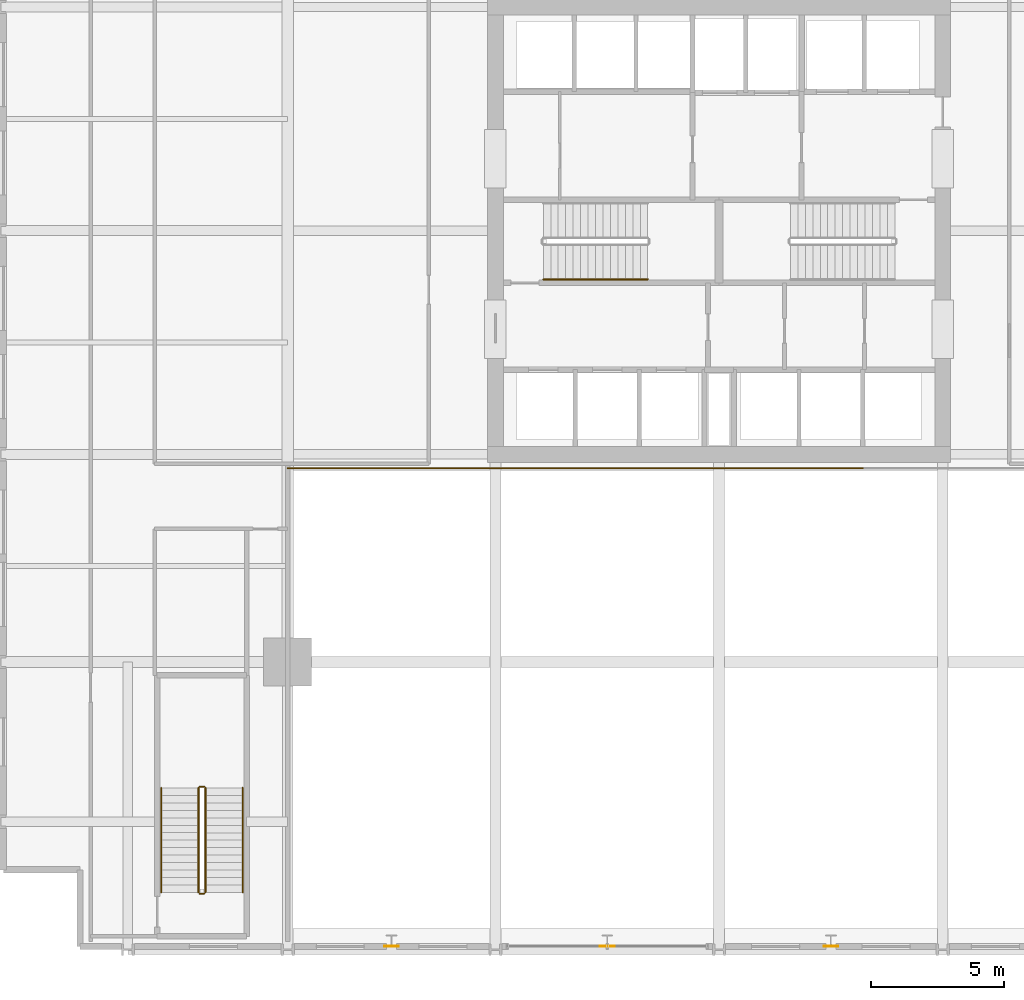
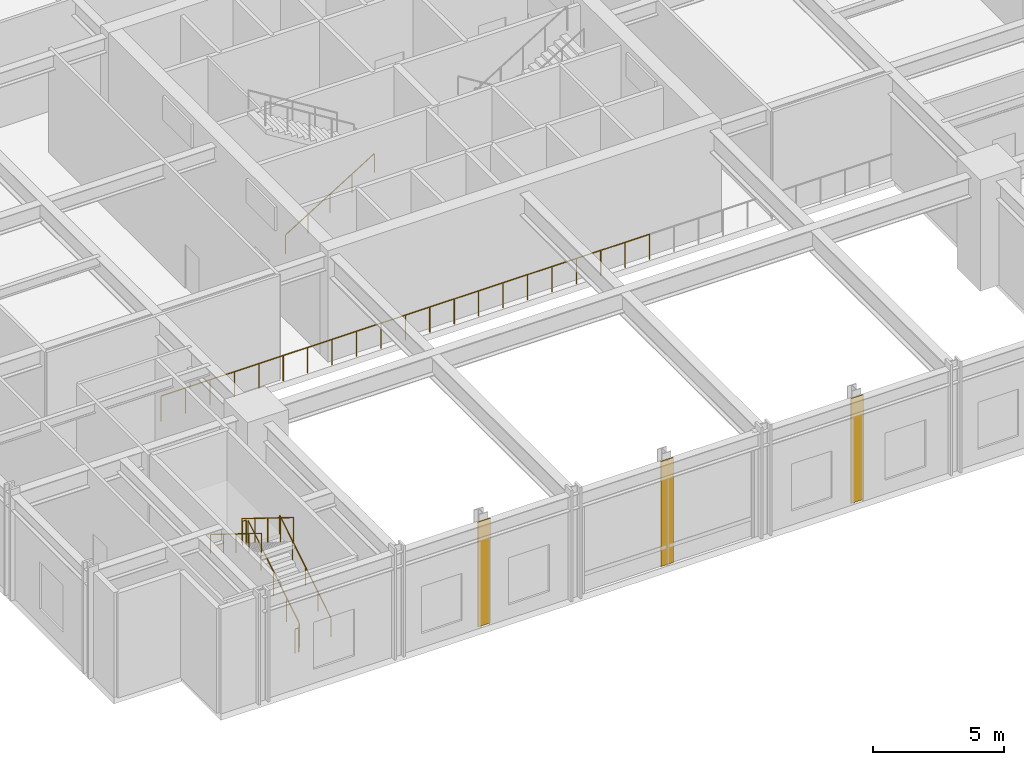
# One storey, part 15 of 19: 11 railings, 3 coverings.
"""IFC4 building model written with IfcOpenShell, lengths in metres."""

from ifc_helpers import new_model, si_unit, direction, frame, origin, origin_2d, place, context, subcontext, project, spatial, rectangle, circle, extrude, material, layer, layer_set, type_object, element, save


model = new_model("IFC4")

# Units and contexts
model_context = context("Model", 3, precision=1e-05, world=origin(), true_north=direction((0.0, 1.0)))
body_context = subcontext(model_context, "Body", "Model", "MODEL_VIEW")
ifc_project = project(units=[si_unit("LENGTHUNIT", "METRE"), si_unit("AREAUNIT", "SQUARE_METRE"), si_unit("VOLUMEUNIT", "CUBIC_METRE"), si_unit("PLANEANGLEUNIT", "RADIAN"), si_unit("MASSUNIT", "GRAM", prefix="KILO")], contexts=[model_context])

# Site, building, storey
site_placement = place(None, origin())
site = spatial("IfcSite", under=ifc_project, at=site_placement, CompositionType="ELEMENT")
building_placement = place(site_placement, origin())
building = spatial("IfcBuilding", under=site, at=building_placement, Name="Drelvath Grand Hotel", CompositionType="ELEMENT")
storey_placement = place(building_placement, frame((0.0, 0.0, 17.199951171875)))
storey = spatial("IfcBuildingStorey", under=building, at=storey_placement, Name="L03", CompositionType="ELEMENT", Elevation=17.199951171875)

# Railings
ifc_material_1 = material(Name="Architectural Bronze and Laminated Glass", Category="glass")
railing_type_1 = type_object("IfcRailingType", Name="Ballroom Overlook Balustrade 1200", PredefinedType="BALUSTRADE", material=ifc_material_1)
railing_1_placement = place(storey_placement, frame((-16.199951171875, 18.080078125, 0.0)))
element("IfcRailing", 1, at=railing_1_placement, inside=storey, type_object=railing_type_1, Name="Grand Ballroom Mezzanine Balustrade 1", PredefinedType="BALUSTRADE", context=body_context, shape_type="SweptSolid", body=[
    extrude(circle(Radius=0.02392578125, at=origin_2d()), frame((0.0, 0.0, 1.17578125), z_axis=(1.0, 0.0, 0.0), x_axis=(0.0, 1.0, 0.0)), (0.0, 0.0, 1.0), 5.39990234375),
    extrude(circle(Radius=0.02099609375, at=origin_2d()), origin(), (0.0, 0.0, 1.0), 1.15185546875),
    extrude(circle(Radius=0.02099609375, at=origin_2d()), frame((1.080078125, 0.0, 0.0)), (0.0, 0.0, 1.0), 1.15185546875),
    extrude(circle(Radius=0.02099609375, at=origin_2d()), frame((2.159912109375, 0.0, 0.0)), (0.0, 0.0, 1.0), 1.15185546875),
    extrude(circle(Radius=0.02099609375, at=origin_2d()), frame((3.239990234375, 0.0, 0.0)), (0.0, 0.0, 1.0), 1.15185546875),
    extrude(circle(Radius=0.02099609375, at=origin_2d()), frame((4.31982421875, 0.0, 0.0)), (0.0, 0.0, 1.0), 1.15185546875),
    extrude(circle(Radius=0.02099609375, at=origin_2d()), frame((5.39990234375, 0.0, 0.0)), (0.0, 0.0, 1.0), 1.15185546875),
])
railing_2_placement = place(storey_placement, frame((-10.800048828125, 18.080078125, 0.0)))
element("IfcRailing", 2, at=railing_2_placement, inside=storey, type_object=railing_type_1, Name="Grand Ballroom Mezzanine Balustrade 2", PredefinedType="BALUSTRADE", context=body_context, shape_type="SweptSolid", body=[
    extrude(circle(Radius=0.02392578125, at=origin_2d()), frame((0.0, 0.0, 1.17578125), z_axis=(1.0, 0.0, 0.0), x_axis=(0.0, 1.0, 0.0)), (0.0, 0.0, 1.0), 5.400146484375),
    extrude(circle(Radius=0.02099609375, at=origin_2d()), origin(), (0.0, 0.0, 1.0), 1.15185546875),
    extrude(circle(Radius=0.02099609375, at=origin_2d()), frame((1.080078125, 0.0, 0.0)), (0.0, 0.0, 1.0), 1.15185546875),
    extrude(circle(Radius=0.02099609375, at=origin_2d()), frame((2.16015625, 0.0, 0.0)), (0.0, 0.0, 1.0), 1.15185546875),
    extrude(circle(Radius=0.02099609375, at=origin_2d()), frame((3.239990234375, 0.0, 0.0)), (0.0, 0.0, 1.0), 1.15185546875),
    extrude(circle(Radius=0.02099609375, at=origin_2d()), frame((4.320068359375, 0.0, 0.0)), (0.0, 0.0, 1.0), 1.15185546875),
    extrude(circle(Radius=0.02099609375, at=origin_2d()), frame((5.400146484375, 0.0, 0.0)), (0.0, 0.0, 1.0), 1.15185546875),
])
for number, where, name in (
    (3, (-5.39990234375, 18.080078125, 0.0), "Grand Ballroom Mezzanine Balustrade 3"),
    (4, (0.0, 18.080078125, 0.0), "Grand Ballroom Mezzanine Balustrade 4"),
):
    element("IfcRailing", number, at=place(storey_placement, frame(where)), inside=storey, type_object=railing_type_1, Name=name, PredefinedType="BALUSTRADE", context=body_context, shape_type="SweptSolid", body=[
        extrude(circle(Radius=0.02392578125, at=origin_2d()), frame((0.0, 0.0, 1.17578125), z_axis=(1.0, 0.0, 0.0), x_axis=(0.0, 1.0, 0.0)), (0.0, 0.0, 1.0), 5.39990234375),
        extrude(circle(Radius=0.02099609375, at=origin_2d()), origin(), (0.0, 0.0, 1.0), 1.15185546875),
        extrude(circle(Radius=0.02099609375, at=origin_2d()), frame((1.080078125, 0.0, 0.0)), (0.0, 0.0, 1.0), 1.15185546875),
        extrude(circle(Radius=0.02099609375, at=origin_2d()), frame((2.159912109375, 0.0, 0.0)), (0.0, 0.0, 1.0), 1.15185546875),
        extrude(circle(Radius=0.02099609375, at=origin_2d()), frame((3.239990234375, 0.0, 0.0)), (0.0, 0.0, 1.0), 1.15185546875),
        extrude(circle(Radius=0.02099609375, at=origin_2d()), frame((4.31982421875, 0.0, 0.0)), (0.0, 0.0, 1.0), 1.15185546875),
        extrude(circle(Radius=0.02099609375, at=origin_2d()), frame((5.39990234375, 0.0, 0.0)), (0.0, 0.0, 1.0), 1.15185546875),
    ])

# Coverings
ifc_material_2 = material(Name="Warm Bronze Anodised Aluminium Cladding", Category="aluminium")
ifc_layer = layer(ifc_material_2, 0.034912109375)
ifc_layer_set = layer_set([ifc_layer], Name="Warm Bronze Anodised Aluminium Cladding")
covering_type = type_object("IfcCoveringType", Name="Bronze Anodised Pier Cladding Panel 35", PredefinedType="CLADDING", material=ifc_layer_set)
for number, where, z_axis, x_axis, name in (
    (5, (-12.300048828125, 0.1201171875, 0.0), (0.0, 0.0, 1.0), (1.0, 0.0, 0.0), "L03 Colonnade Bronze Pier Cladding S1"),
    (6, (-4.199951171875, 0.1201171875, 0.0), (0.0, 0.0, 1.0), (1.0, 0.0, 0.0), "L03 Colonnade Bronze Pier Cladding S2"),
    (7, (4.199951171875, 0.1201171875, 0.0), (0.0, 0.0, 1.0), (1.0, 0.0, 0.0), "L03 Colonnade Bronze Pier Cladding S3"),
):
    element("IfcCovering", number, at=place(storey_placement, frame(where, z_axis=z_axis, x_axis=x_axis)), inside=storey, type_object=covering_type, Name=name, PredefinedType="CLADDING", context=body_context, shape_type="SweptSolid", body=[
        extrude(rectangle(XDim=0.550048828125, YDim=0.034912109375, at=origin_2d()), origin(), (0.0, 0.0, 1.0), 4.89990234375),
    ])

# Railings
ifc_material_3 = material(Name="Painted Steel S275", Category="steel")
railing_type_2 = type_object("IfcRailingType", Name="Core Stair Wall Handrail 900", PredefinedType="HANDRAIL", material=ifc_material_3)
railing_3_placement = place(storey_placement, frame((-6.60009765625, 25.169921875, 0.17333984375)))
element("IfcRailing", 8, at=railing_3_placement, inside=storey, type_object=railing_type_2, Name="L03 ST-1 stair handrail 1", PredefinedType="HANDRAIL", context=body_context, shape_type="SweptSolid", body=[
    extrude(circle(Radius=0.02392578125, at=origin_2d()), frame((0.0, 0.0, 0.8759765625), z_axis=(0.850266275192, 0.0, 0.526352791643), x_axis=(0.0, 1.0, 0.0)), (0.0, 0.0, 1.0), 4.610595703125),
    extrude(circle(Radius=0.02099609375, at=origin_2d()), origin(), (0.0, 0.0, 1.0), 0.851806640625),
    extrude(circle(Radius=0.02099609375, at=origin_2d()), frame((0.97998046875, 0.0, 0.606689453125)), (0.0, 0.0, 1.0), 0.851806640625),
    extrude(circle(Radius=0.02099609375, at=origin_2d()), frame((1.9599609375, 0.0, 1.21337890625)), (0.0, 0.0, 1.0), 0.851806640625),
    extrude(circle(Radius=0.02099609375, at=origin_2d()), frame((2.940185546875, 0.0, 1.820068359375)), (0.0, 0.0, 1.0), 0.851806640625),
    extrude(circle(Radius=0.02099609375, at=origin_2d()), frame((3.920166015625, 0.0, 2.4267578125)), (0.0, 0.0, 1.0), 0.851806640625),
])
railing_4_placement = place(storey_placement, frame((-17.889892578125, 2.14990234375, 0.17333984375)))
element("IfcRailing", 9, at=railing_4_placement, inside=storey, type_object=railing_type_2, Name="L03 ST-3 stair handrail 1", PredefinedType="HANDRAIL", context=body_context, shape_type="SweptSolid", body=[
    extrude(circle(Radius=0.02392578125, at=origin_2d()), frame((0.0, 0.0, 0.8759765625), z_axis=(0.0, 0.850266275192, 0.526352791643), x_axis=(-1.0, 0.0, 0.0)), (0.0, 0.0, 1.0), 4.610595703125),
    extrude(circle(Radius=0.02099609375, at=origin_2d()), origin(), (0.0, 0.0, 1.0), 0.851806640625),
    extrude(circle(Radius=0.02099609375, at=origin_2d()), frame((0.0, 0.97998046875, 0.606689453125)), (0.0, 0.0, 1.0), 0.851806640625),
    extrude(circle(Radius=0.02099609375, at=origin_2d()), frame((0.0, 1.9599609375, 1.21337890625)), (0.0, 0.0, 1.0), 0.851806640625),
    extrude(circle(Radius=0.02099609375, at=origin_2d()), frame((0.0, 2.940185546875, 1.820068359375)), (0.0, 0.0, 1.0), 0.851806640625),
    extrude(circle(Radius=0.02099609375, at=origin_2d()), frame((0.0, 3.920166015625, 2.4267578125)), (0.0, 0.0, 1.0), 0.851806640625),
])
railing_5_placement = place(storey_placement, frame((-20.949951171875, 6.070068359375, 2.7734375)))
element("IfcRailing", 10, at=railing_5_placement, inside=storey, type_object=railing_type_2, Name="L03 ST-3 stair handrail 2", PredefinedType="HANDRAIL", context=body_context, shape_type="SweptSolid", body=[
    extrude(circle(Radius=0.02392578125, at=origin_2d()), frame((0.0, 0.0, 0.8759765625), z_axis=(0.0, -0.850289973577, 0.526314507528), x_axis=(1.0, 0.0, 0.0)), (0.0, 0.0, 1.0), 4.6103515625),
    extrude(circle(Radius=0.02099609375, at=origin_2d()), origin(), (0.0, 0.0, 1.0), 0.851806640625),
    extrude(circle(Radius=0.02099609375, at=origin_2d()), frame((0.0, -0.97998046875, 0.606689453125)), (0.0, 0.0, 1.0), 0.851806640625),
    extrude(circle(Radius=0.02099609375, at=origin_2d()), frame((0.0, -1.9599609375, 1.21337890625)), (0.0, 0.0, 1.0), 0.851806640625),
    extrude(circle(Radius=0.02099609375, at=origin_2d()), frame((0.0, -2.940185546875, 1.81982421875)), (0.0, 0.0, 1.0), 0.851806640625),
    extrude(circle(Radius=0.02099609375, at=origin_2d()), frame((0.0, -3.920166015625, 2.426513671875)), (0.0, 0.0, 1.0), 0.851806640625),
])
railing_type_3 = type_object("IfcRailingType", Name="Core Stair Well Guardrail 1100", PredefinedType="GUARDRAIL", material=ifc_material_3)
railing_6_placement = place(storey_placement, frame((-19.2900390625, 2.14990234375, 0.17333984375)))
element("IfcRailing", 11, at=railing_6_placement, inside=storey, type_object=railing_type_3, Name="L03 ST-3 stair guard 1", PredefinedType="GUARDRAIL", context=body_context, shape_type="SweptSolid", body=[
    extrude(circle(Radius=0.02392578125, at=origin_2d()), frame((0.0, 0.0, 1.1259765625), z_axis=(0.0, 0.850266275192, 0.526352791643), x_axis=(-1.0, 0.0, 0.0)), (0.0, 0.0, 1.0), 4.610595703125),
    extrude(circle(Radius=0.02099609375, at=origin_2d()), origin(), (0.0, 0.0, 1.0), 1.101806640625),
    extrude(circle(Radius=0.02099609375, at=origin_2d()), frame((0.0, 0.97998046875, 0.606689453125)), (0.0, 0.0, 1.0), 1.101806640625),
    extrude(circle(Radius=0.02099609375, at=origin_2d()), frame((0.0, 1.9599609375, 1.21337890625)), (0.0, 0.0, 1.0), 1.101806640625),
    extrude(circle(Radius=0.02099609375, at=origin_2d()), frame((0.0, 2.940185546875, 1.820068359375)), (0.0, 0.0, 1.0), 1.101806640625),
    extrude(circle(Radius=0.02099609375, at=origin_2d()), frame((0.0, 3.920166015625, 2.4267578125)), (0.0, 0.0, 1.0), 1.101806640625),
])
railing_7_placement = place(storey_placement, frame((-19.340087890625, 6.1201171875, 2.60009765625)))
element("IfcRailing", 12, at=railing_7_placement, inside=storey, type_object=railing_type_3, Name="L03 ST-3 stair guard 2", PredefinedType="GUARDRAIL", context=body_context, shape_type="SweptSolid", body=[
    extrude(circle(Radius=0.02392578125, at=origin_2d()), frame((0.0, 0.0, 1.1259765625), z_axis=(-1.0, 0.0, 0.0), x_axis=(0.0, -1.0, 0.0)), (0.0, 0.0, 1.0), 0.159912109375),
    extrude(circle(Radius=0.02099609375, at=origin_2d()), origin(), (0.0, 0.0, 1.0), 1.101806640625),
    extrude(circle(Radius=0.02099609375, at=origin_2d()), frame((-0.159912109375, 0.0, 0.0)), (0.0, 0.0, 1.0), 1.101806640625),
])
railing_8_placement = place(storey_placement, frame((-19.550048828125, 6.070068359375, 2.7734375)))
element("IfcRailing", 13, at=railing_8_placement, inside=storey, type_object=railing_type_3, Name="L03 ST-3 stair guard 3", PredefinedType="GUARDRAIL", context=body_context, shape_type="SweptSolid", body=[
    extrude(circle(Radius=0.02392578125, at=origin_2d()), frame((0.0, 0.0, 1.1259765625), z_axis=(0.0, -0.850289973577, 0.526314507528), x_axis=(1.0, 0.0, 0.0)), (0.0, 0.0, 1.0), 4.6103515625),
    extrude(circle(Radius=0.02099609375, at=origin_2d()), origin(), (0.0, 0.0, 1.0), 1.101806640625),
    extrude(circle(Radius=0.02099609375, at=origin_2d()), frame((0.0, -0.97998046875, 0.606689453125)), (0.0, 0.0, 1.0), 1.101806640625),
    extrude(circle(Radius=0.02099609375, at=origin_2d()), frame((0.0, -1.9599609375, 1.21337890625)), (0.0, 0.0, 1.0), 1.101806640625),
    extrude(circle(Radius=0.02099609375, at=origin_2d()), frame((0.0, -2.940185546875, 1.81982421875)), (0.0, 0.0, 1.0), 1.101806640625),
    extrude(circle(Radius=0.02099609375, at=origin_2d()), frame((0.0, -3.920166015625, 2.426513671875)), (0.0, 0.0, 1.0), 1.101806640625),
])
railing_9_placement = place(storey_placement, frame((-19.340087890625, 2.10009765625, 0.0)))
element("IfcRailing", 14, at=railing_9_placement, inside=storey, type_object=railing_type_3, Name="L03 ST-3 stair guard 4", PredefinedType="GUARDRAIL", context=body_context, shape_type="SweptSolid", body=[
    extrude(circle(Radius=0.02392578125, at=origin_2d()), frame((0.0, 0.0, 1.1259765625), z_axis=(-1.0, 0.0, 0.0), x_axis=(0.0, -1.0, 0.0)), (0.0, 0.0, 1.0), 0.159912109375),
    extrude(circle(Radius=0.02099609375, at=origin_2d()), origin(), (0.0, 0.0, 1.0), 1.101806640625),
    extrude(circle(Radius=0.02099609375, at=origin_2d()), frame((-0.159912109375, 0.0, 0.0)), (0.0, 0.0, 1.0), 1.101806640625),
])

save(model, "model.ifc")
